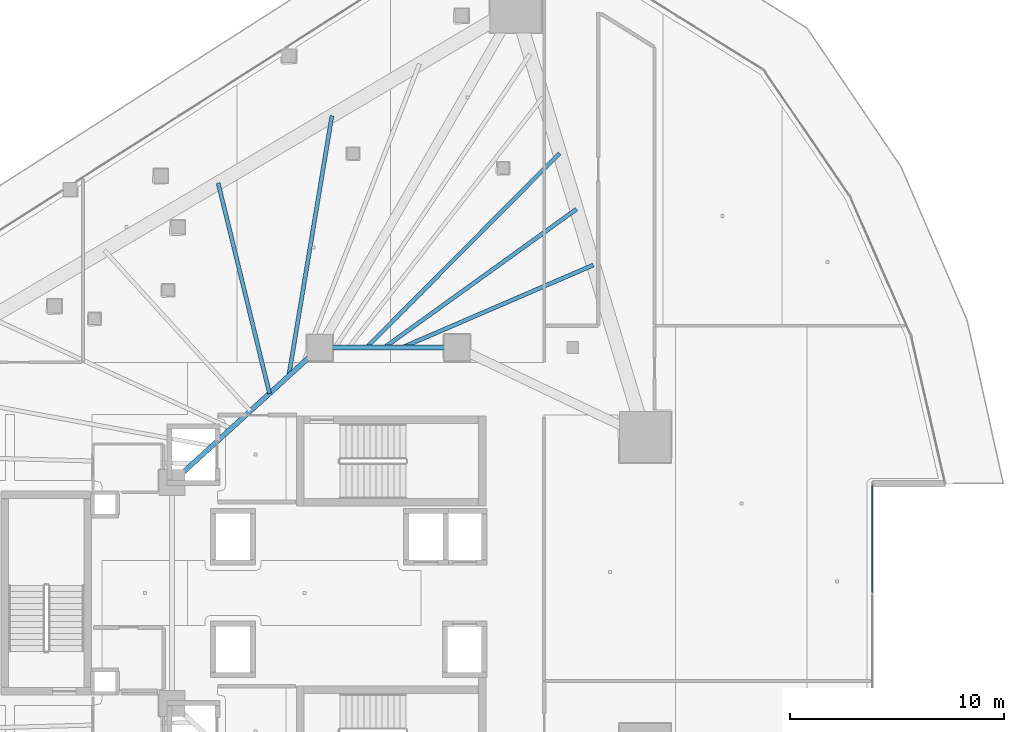
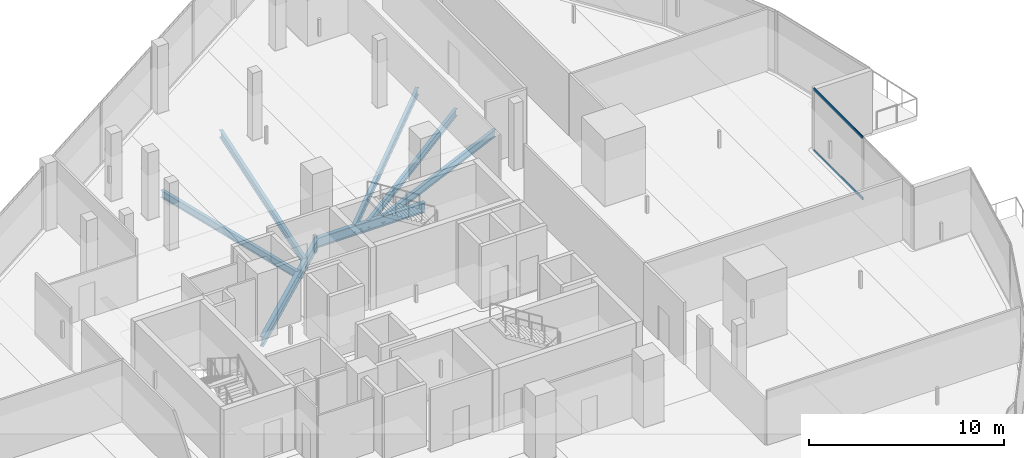
# One storey, part 19 of 45: 7 beams, 2 members, 1 element without a shape of its own.
"""IFC4 building model written with IfcOpenShell, lengths in metres."""

from ifc_helpers import new_model, si_unit, direction, frame, origin, origin_2d, place, context, subcontext, project, spatial, hollow_rectangle, i_section, extrude, material, layer, layer_set, material_profile, profile_set, type_object, element, aggregate, save


model = new_model("IFC4")

# Units and contexts
model_context = context("Model", 3, precision=1e-05, world=origin(), true_north=direction((0.0, 1.0)))
body_context = subcontext(model_context, "Body", "Model", "MODEL_VIEW")
ifc_project = project(units=[si_unit("LENGTHUNIT", "METRE"), si_unit("AREAUNIT", "SQUARE_METRE"), si_unit("VOLUMEUNIT", "CUBIC_METRE"), si_unit("PLANEANGLEUNIT", "RADIAN"), si_unit("MASSUNIT", "GRAM", prefix="KILO")], contexts=[model_context])

# Site, building, storey
site_placement = place(None, origin())
site = spatial("IfcSite", under=ifc_project, at=site_placement, CompositionType="ELEMENT")
building_placement = place(site_placement, origin())
building = spatial("IfcBuilding", under=site, at=building_placement, Name="Qorvath Tower", CompositionType="ELEMENT")
storey_placement = place(building_placement, frame((0.0, 0.0, 95.39990234375)))
storey = spatial("IfcBuildingStorey", under=building, at=storey_placement, Name="L21", CompositionType="ELEMENT", Elevation=95.39990234375)

# Beams
ifc_material_1 = material(Name="Steel ASTM A992 Grade 50", Category="steel")
ifc_material_profile_1 = material_profile(ifc_material_1, i_section(OverallWidth=0.22998046875, OverallDepth=0.616943359375, WebThickness=0.01318359375, FlangeThickness=0.022216796875, FilletRadius=0.014892578125, at=origin_2d()), Name="W24x94")
ifc_profile_set_1 = profile_set([ifc_material_profile_1], Name="Steel ASTM A992 Grade 50")
beam_type_1 = type_object("IfcBeamType", Name="BM-FG6", PredefinedType="BEAM", material=ifc_profile_set_1)
beam_1_placement = place(storey_placement, frame((-23.60009765625, 11.449951171875, -0.58837890625), z_axis=(1.0, 0.0, 0.0), x_axis=(0.0, 1.0, 0.0)))
element("IfcBeam", 1, at=beam_1_placement, inside=storey, type_object=beam_type_1, Name="Core Ring Girder CC1-CC2 L21", PredefinedType="BEAM", context=body_context, shape_type="SweptSolid", body=[
    extrude(i_section(OverallWidth=0.22998046875, OverallDepth=0.616943359375, WebThickness=0.01318359375, FlangeThickness=0.022216796875, FilletRadius=0.014892578125, at=origin_2d()), origin(), (0.0, 0.0, 1.0), 6.400146484375),
])
beam_2_placement = place(storey_placement, frame((-30.5, 5.14990234375, -0.58837890625), z_axis=(0.73847813985, 0.6742774184, 0.0), x_axis=(-0.6742774184, 0.73847813985, 0.0)))
element("IfcBeam", 2, at=beam_2_placement, inside=storey, type_object=beam_type_1, Name="Core Ring Girder CC5-CC1 L21", PredefinedType="BEAM", context=body_context, shape_type="SweptSolid", body=[
    extrude(i_section(OverallWidth=0.22998046875, OverallDepth=0.616943359375, WebThickness=0.01318359375, FlangeThickness=0.022216796875, FilletRadius=0.014892578125, at=origin_2d()), origin(), (0.0, 0.0, 1.0), 9.343505859375),
])
ifc_material_2 = material(Name="Steel ASTM A992 Grade 50", Category="steel")
ifc_material_profile_2 = material_profile(ifc_material_2, i_section(OverallWidth=0.18994140625, OverallDepth=0.45703125, WebThickness=0.009033203125, FlangeThickness=0.014404296875, FilletRadius=0.011962890625, at=origin_2d()), Name="W18x50")
ifc_profile_set_2 = profile_set([ifc_material_profile_2], Name="Steel ASTM A992 Grade 50")
beam_type_2 = type_object("IfcBeamType", Name="BM-FJ2", PredefinedType="JOIST", material=ifc_profile_set_2)
beam_3_placement = place(storey_placement, frame((-19.760009765625, 11.449951171875, -0.50830078125), z_axis=(0.918135537923, 0.396266493667, 0.0), x_axis=(-0.396266493667, 0.918135537923, 0.0)))
element("IfcBeam", 3, at=beam_3_placement, inside=storey, type_object=beam_type_2, Name="Composite Floor Joist NE3 L21", PredefinedType="JOIST", context=body_context, shape_type="SweptSolid", body=[
    extrude(i_section(OverallWidth=0.18994140625, OverallDepth=0.45703125, WebThickness=0.009033203125, FlangeThickness=0.014404296875, FilletRadius=0.011962890625, at=origin_2d()), origin(), (0.0, 0.0, 1.0), 9.7109375),
])
beam_4_placement = place(storey_placement, frame((-20.592041015625, 11.449951171875, -0.50830078125), z_axis=(0.811469358397, 0.584394969505, 0.0), x_axis=(-0.584394969505, 0.811469358397, 0.0)))
element("IfcBeam", 4, at=beam_4_placement, inside=storey, type_object=beam_type_2, Name="Composite Floor Joist NE4 L21", PredefinedType="JOIST", context=body_context, shape_type="SweptSolid", body=[
    extrude(i_section(OverallWidth=0.18994140625, OverallDepth=0.45703125, WebThickness=0.009033203125, FlangeThickness=0.014404296875, FilletRadius=0.011962890625, at=origin_2d()), origin(), (0.0, 0.0, 1.0), 11.046142578125),
])
beam_5_placement = place(storey_placement, frame((-21.424072265625, 11.449951171875, -0.50830078125), z_axis=(0.705107654599, 0.709100271771, 0.0), x_axis=(-0.709100271771, 0.705107654599, 0.0)))
element("IfcBeam", 5, at=beam_5_placement, inside=storey, type_object=beam_type_2, Name="Composite Floor Joist NE5 L21", PredefinedType="JOIST", context=body_context, shape_type="SweptSolid", body=[
    extrude(i_section(OverallWidth=0.18994140625, OverallDepth=0.45703125, WebThickness=0.009033203125, FlangeThickness=0.014404296875, FilletRadius=0.011962890625, at=origin_2d()), origin(), (0.0, 0.0, 1.0), 12.780029296875),
])
beam_6_placement = place(storey_placement, frame((-25.946044921875, 9.30810546875, -0.50830078125), z_axis=(-0.237165308581, 0.97146930801, 0.0), x_axis=(-0.97146930801, -0.237165308581, 0.0)))
element("IfcBeam", 6, at=beam_6_placement, inside=storey, type_object=beam_type_2, Name="Composite Floor Joist NW5 L21", PredefinedType="JOIST", context=body_context, shape_type="SweptSolid", body=[
    extrude(i_section(OverallWidth=0.18994140625, OverallDepth=0.45703125, WebThickness=0.009033203125, FlangeThickness=0.014404296875, FilletRadius=0.011962890625, at=origin_2d()), origin(), (0.0, 0.0, 1.0), 10.104736328125),
])
beam_7_placement = place(storey_placement, frame((-25.049072265625, 10.126953125, -0.50830078125), z_axis=(0.163639384475, 0.98652022374, 0.0), x_axis=(-0.98652022374, 0.163639384475, 0.0)))
element("IfcBeam", 7, at=beam_7_placement, inside=storey, type_object=beam_type_2, Name="Composite Floor Joist NW6 L21", PredefinedType="JOIST", context=body_context, shape_type="SweptSolid", body=[
    extrude(i_section(OverallWidth=0.18994140625, OverallDepth=0.45703125, WebThickness=0.009033203125, FlangeThickness=0.014404296875, FilletRadius=0.011962890625, at=origin_2d()), origin(), (0.0, 0.0, 1.0), 12.301025390625),
])

# Curtain wall, members
ifc_material_3 = material(Name="Anodised aluminium and triple low-E glass", Category="aluminium")
ifc_layer = layer(ifc_material_3, 0.179931640625)
ifc_layer_set = layer_set([ifc_layer], Name="CW-SYS-2")
curtain_wall_type = type_object("IfcCurtainWallType", Name="CW-SYS-2", PredefinedType="NOTDEFINED", material=ifc_layer_set)
curtain_wall_placement = place(storey_placement, origin())
curtain_wall = element("IfcCurtainWall", 8, at=curtain_wall_placement, inside=storey, type_object=curtain_wall_type, Name="Curtain Wall CW-2 CW-T-L21-9.1", PredefinedType="NOTDEFINED")
ifc_material_4 = material(Name="Anodised aluminium 6063-T6", Category="aluminium")
ifc_material_profile_3 = material_profile(ifc_material_4, hollow_rectangle(XDim=0.06494140625, YDim=0.159912109375, WallThickness=0.00341796875, InnerFilletRadius=0.00341796875, OuterFilletRadius=0.007080078125, at=origin_2d()), Name="CWT 160x65")
ifc_profile_set_3 = profile_set([ifc_material_profile_3], Name="Anodised aluminium 6063-T6")
member_type = type_object("IfcMemberType", Name="CWT-160", PredefinedType="USERDEFINED", material=ifc_profile_set_3)
member_1_placement = place(storey_placement, frame((2.17236328125, 0.032470703125, 0.032470703125), z_axis=(0.0, 1.0, 0.0), x_axis=(-1.0, 0.0, 0.0)))
member_1 = element("IfcMember", 9, at=member_1_placement, type_object=member_type, Name="CW-2 transom 2.1", ObjectType="TRANSOM", PredefinedType="USERDEFINED", context=body_context, shape_type="SweptSolid", body=[
    extrude(hollow_rectangle(XDim=0.06494140625, YDim=0.159912109375, WallThickness=0.00341796875, InnerFilletRadius=0.00341796875, OuterFilletRadius=0.007080078125, at=origin_2d()), origin(), (0.0, 0.0, 1.0), 5.000244140625),
])
member_2_placement = place(storey_placement, frame((2.17236328125, 0.032470703125, 3.86767578125), z_axis=(0.0, 1.0, 0.0), x_axis=(-1.0, 0.0, 0.0)))
member_2 = element("IfcMember", 10, at=member_2_placement, type_object=member_type, Name="CW-2 transom 2.2", ObjectType="TRANSOM", PredefinedType="USERDEFINED", context=body_context, shape_type="SweptSolid", body=[
    extrude(hollow_rectangle(XDim=0.06494140625, YDim=0.159912109375, WallThickness=0.00341796875, InnerFilletRadius=0.00341796875, OuterFilletRadius=0.007080078125, at=origin_2d()), origin(), (0.0, 0.0, 1.0), 5.000244140625),
])
aggregate(curtain_wall, [member_1, member_2])

save(model, "model.ifc")
